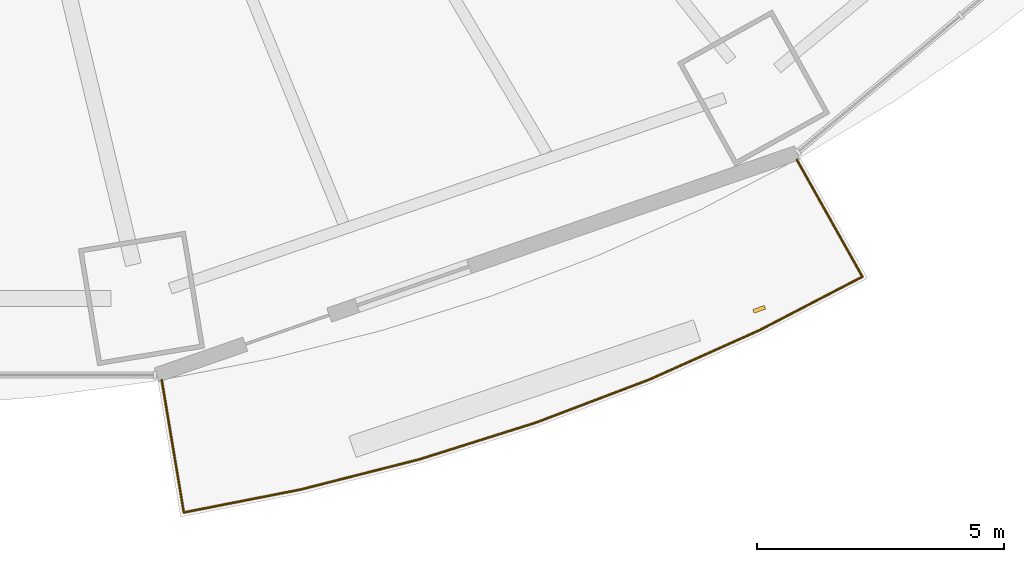
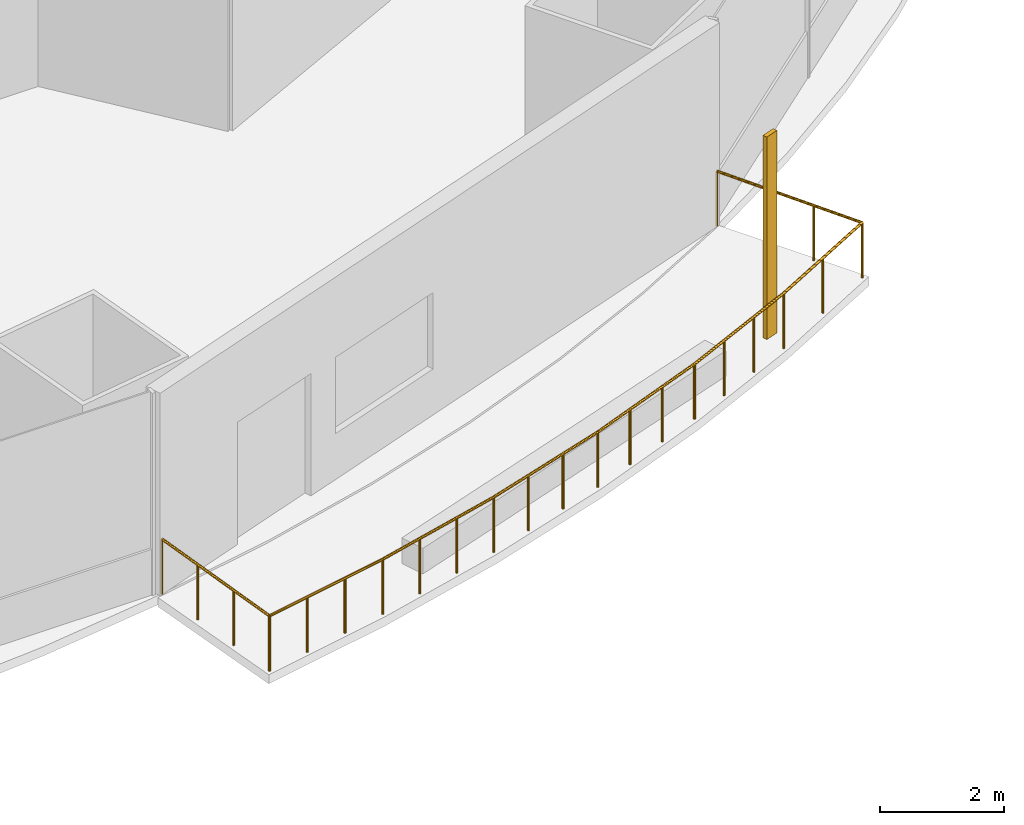
# One storey, part 19 of 23: 1 railing, 1 shading device.
"""IFC4 building model written with IfcOpenShell, lengths in metres."""

from ifc_helpers import new_model, si_unit, direction, frame, origin, origin_2d, place, context, subcontext, project, spatial, rectangle, circle, extrude, material, material_profile, profile_set, type_object, element, save


model = new_model("IFC4")

# Units and contexts
model_context = context("Model", 3, precision=1e-05, world=origin(), true_north=direction((0.0, 1.0)))
body_context = subcontext(model_context, "Body", "Model", "MODEL_VIEW")
ifc_project = project(units=[si_unit("LENGTHUNIT", "METRE"), si_unit("AREAUNIT", "SQUARE_METRE"), si_unit("VOLUMEUNIT", "CUBIC_METRE"), si_unit("PLANEANGLEUNIT", "RADIAN"), si_unit("MASSUNIT", "GRAM", prefix="KILO")], contexts=[model_context])

# Site, building, storey
site_placement = place(None, origin())
site = spatial("IfcSite", under=ifc_project, at=site_placement, CompositionType="ELEMENT")
building_placement = place(site_placement, origin())
building = spatial("IfcBuilding", under=site, at=building_placement, Name="Marenthal Gate Tower", CompositionType="ELEMENT")
storey_placement = place(building_placement, frame((0.0, 0.0, 57.89990234375)))
storey = spatial("IfcBuildingStorey", under=building, at=storey_placement, Name="L10", CompositionType="ELEMENT", Elevation=57.89990234375)

# Railing
ifc_material_1 = material(Name="Stainless steel", Category="steel")
railing_type = type_object("IfcRailingType", Name="Balcony guard 1100", PredefinedType="GUARDRAIL", material=ifc_material_1)
railing_placement = place(storey_placement, frame((19.99462890625, -25.206787109375, 0.0)))
element("IfcRailing", 1, at=railing_placement, inside=storey, type_object=railing_type, Name="Balcony guard L10 bay 13", PredefinedType="GUARDRAIL", context=body_context, shape_type="SweptSolid", body=[
    extrude(circle(Radius=0.02392578125, at=origin_2d()), frame((0.0, 0.0, 1.076171875), z_axis=(0.488848937096, -0.872245790276, -0.014628672067), x_axis=(0.872339134705, 0.488901251851, 0.0)), (0.0, 0.0, 1.0), 2.720458984375),
    extrude(circle(Radius=0.02392578125, at=origin_2d()), frame((1.329833984375, -2.372802734375, 1.0361328125), z_axis=(-0.887238949587, -0.461310141159, 0.0), x_axis=(0.461310141159, -0.887238949587, 0.0)), (0.0, 0.0, 1.0), 2.34619140625),
    extrude(circle(Radius=0.02392578125, at=origin_2d()), frame((-0.751708984375, -3.455078125, 1.0361328125), z_axis=(-0.912604464389, -0.408843602833, 0.0), x_axis=(0.408843602833, -0.912604464389, 0.0)), (0.0, 0.0, 1.0), 2.443603515625),
    extrude(circle(Radius=0.02392578125, at=origin_2d()), frame((-2.981689453125, -4.4541015625, 1.0361328125), z_axis=(-0.934856725019, -0.355025215564, 0.0), x_axis=(0.355025215564, -0.934856725019, 0.0)), (0.0, 0.0, 1.0), 2.459716796875),
    extrude(circle(Radius=0.02392578125, at=origin_2d()), frame((-5.28125, -5.327392578125, 1.0361328125), z_axis=(-0.953670609563, -0.300852735495, 0.0), x_axis=(0.300852735495, -0.953670609563, 0.0)), (0.0, 0.0, 1.0), 2.474365234375),
    extrude(circle(Radius=0.02392578125, at=origin_2d()), frame((-7.640869140625, -6.07177734375, 1.0361328125), z_axis=(-0.969164557422, -0.24641440834, 0.0), x_axis=(0.24641440834, -0.969164557422, 0.0)), (0.0, 0.0, 1.0), 2.48681640625),
    extrude(circle(Radius=0.02392578125, at=origin_2d()), frame((-10.051025390625, -6.6845703125, 1.0361328125), z_axis=(-0.981247114518, -0.192753988932, 0.0), x_axis=(0.192753988932, -0.981247114518, 0.0)), (0.0, 0.0, 1.0), 2.416748046875),
    extrude(circle(Radius=0.02392578125, at=origin_2d()), frame((-12.42236328125, -7.150390625, 1.0361328125), z_axis=(-0.164599699224, 0.98625196007, 0.014629089953), x_axis=(-0.986357511038, -0.164617315064, 0.0)), (0.0, 0.0, 1.0), 2.72021484375),
    extrude(circle(Radius=0.02099609375, at=origin_2d()), origin(), (0.0, 0.0, 1.0), 1.052001953125),
    extrude(circle(Radius=0.02099609375, at=origin_2d()), frame((0.443359375, -0.791015625, -0.01318359375)), (0.0, 0.0, 1.0), 1.052001953125),
    extrude(circle(Radius=0.02099609375, at=origin_2d()), frame((0.886474609375, -1.581787109375, -0.026611328125)), (0.0, 0.0, 1.0), 1.052001953125),
    extrude(circle(Radius=0.02099609375, at=origin_2d()), frame((1.329833984375, -2.372802734375, -0.039794921875)), (0.0, 0.0, 1.0), 1.052001953125),
    extrude(circle(Radius=0.02099609375, at=origin_2d()), frame((0.2890625, -2.9140625, -0.039794921875)), (0.0, 0.0, 1.0), 1.052001953125),
    extrude(circle(Radius=0.02099609375, at=origin_2d()), frame((-0.751708984375, -3.455078125, -0.039794921875)), (0.0, 0.0, 1.0), 1.052001953125),
    extrude(circle(Radius=0.02099609375, at=origin_2d()), frame((-1.4951171875, -3.7880859375, -0.039794921875)), (0.0, 0.0, 1.0), 1.052001953125),
    extrude(circle(Radius=0.02099609375, at=origin_2d()), frame((-2.23828125, -4.12109375, -0.039794921875)), (0.0, 0.0, 1.0), 1.052001953125),
    extrude(circle(Radius=0.02099609375, at=origin_2d()), frame((-2.981689453125, -4.4541015625, -0.039794921875)), (0.0, 0.0, 1.0), 1.052001953125),
    extrude(circle(Radius=0.02099609375, at=origin_2d()), frame((-3.748291015625, -4.7451171875, -0.039794921875)), (0.0, 0.0, 1.0), 1.052001953125),
    extrude(circle(Radius=0.02099609375, at=origin_2d()), frame((-4.5146484375, -5.036376953125, -0.039794921875)), (0.0, 0.0, 1.0), 1.052001953125),
    extrude(circle(Radius=0.02099609375, at=origin_2d()), frame((-5.28125, -5.327392578125, -0.039794921875)), (0.0, 0.0, 1.0), 1.052001953125),
    extrude(circle(Radius=0.02099609375, at=origin_2d()), frame((-6.06787109375, -5.575439453125, -0.039794921875)), (0.0, 0.0, 1.0), 1.052001953125),
    extrude(circle(Radius=0.02099609375, at=origin_2d()), frame((-6.854248046875, -5.82373046875, -0.039794921875)), (0.0, 0.0, 1.0), 1.052001953125),
    extrude(circle(Radius=0.02099609375, at=origin_2d()), frame((-7.640869140625, -6.07177734375, -0.039794921875)), (0.0, 0.0, 1.0), 1.052001953125),
    extrude(circle(Radius=0.02099609375, at=origin_2d()), frame((-8.4443359375, -6.276123046875, -0.039794921875)), (0.0, 0.0, 1.0), 1.052001953125),
    extrude(circle(Radius=0.02099609375, at=origin_2d()), frame((-9.24755859375, -6.480224609375, -0.039794921875)), (0.0, 0.0, 1.0), 1.052001953125),
    extrude(circle(Radius=0.02099609375, at=origin_2d()), frame((-10.051025390625, -6.6845703125, -0.039794921875)), (0.0, 0.0, 1.0), 1.052001953125),
    extrude(circle(Radius=0.02099609375, at=origin_2d()), frame((-10.841552734375, -6.83984375, -0.039794921875)), (0.0, 0.0, 1.0), 1.052001953125),
    extrude(circle(Radius=0.02099609375, at=origin_2d()), frame((-11.6318359375, -6.9951171875, -0.039794921875)), (0.0, 0.0, 1.0), 1.052001953125),
    extrude(circle(Radius=0.02099609375, at=origin_2d()), frame((-12.42236328125, -7.150390625, -0.039794921875)), (0.0, 0.0, 1.0), 1.052001953125),
    extrude(circle(Radius=0.02099609375, at=origin_2d()), frame((-12.571533203125, -6.256103515625, -0.026611328125)), (0.0, 0.0, 1.0), 1.052001953125),
    extrude(circle(Radius=0.02099609375, at=origin_2d()), frame((-12.720947265625, -5.36181640625, -0.01318359375)), (0.0, 0.0, 1.0), 1.052001953125),
    extrude(circle(Radius=0.02099609375, at=origin_2d()), frame((-12.8701171875, -4.467529296875, 0.0)), (0.0, 0.0, 1.0), 1.052001953125),
])

# Shading device
ifc_material_2 = material(Name="Terracotta", Category="masonry")
ifc_material_profile = material_profile(ifc_material_2, rectangle(XDim=0.25, YDim=0.080078125, at=origin_2d()), Name="Terracotta baguette 250x80")
ifc_profile_set = profile_set([ifc_material_profile], Name="Terracotta")
shading_device_type = type_object("IfcShadingDeviceType", Name="Terracotta BAGUETTE SCREEN 250x80", PredefinedType="USERDEFINED", material=ifc_profile_set)
shading_device_placement = place(storey_placement, frame((19.23291015625, -28.24072265625, -0.039794921875), z_axis=(0.0, 0.0, 1.0), x_axis=(0.944672154092, 0.32801603815, 0.0)))
element("IfcShadingDevice", 2, at=shading_device_placement, inside=storey, type_object=shading_device_type, Name="Terracotta BAGUETTE L10 bay 13R", ObjectType="BAGUETTE SCREEN", PredefinedType="USERDEFINED", context=body_context, shape_type="SweptSolid", body=[
    extrude(rectangle(XDim=0.25, YDim=0.080078125, at=origin_2d()), origin(), (0.0, 0.0, 1.0), 3.969970703125),
])

save(model, "model.ifc")
